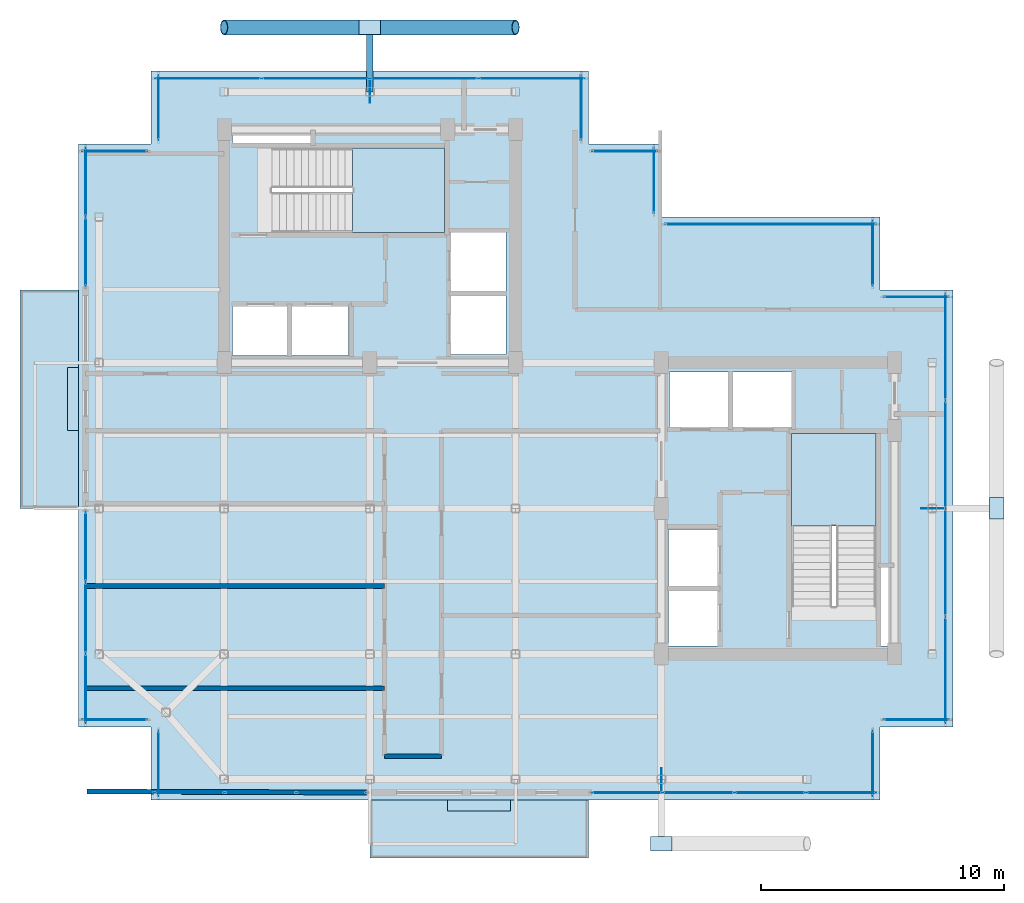
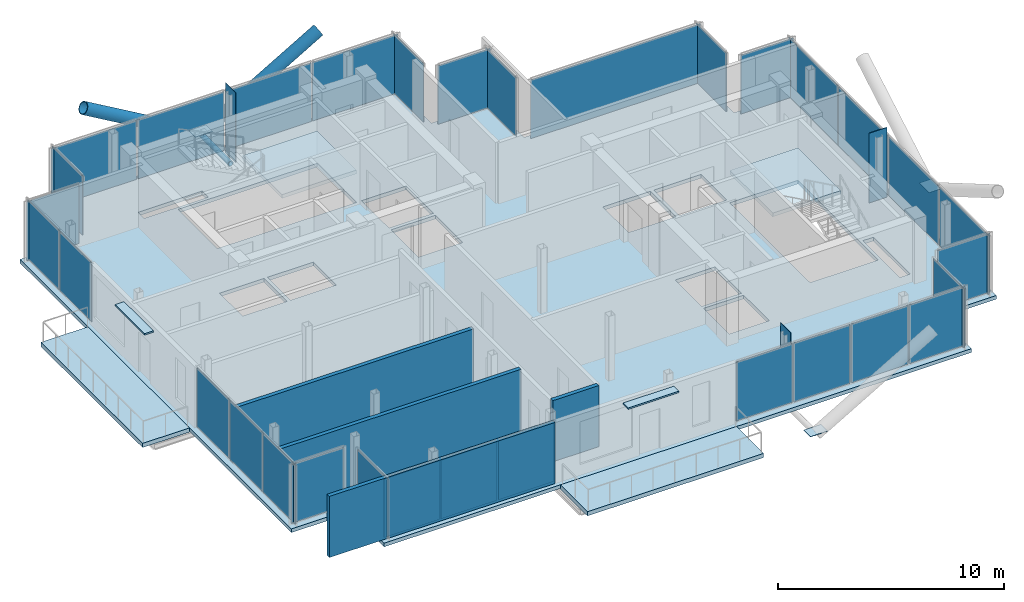
# One storey, part 13 of 18: 40 plates, 5 slabs, 4 walls, 3 members, 20 elements without a shape of their own.
"""IFC4 building model written with IfcOpenShell, lengths in metres."""

from ifc_helpers import new_model, si_unit, direction, frame, frame_2d, origin, origin_2d, place, context, subcontext, project, spatial, polyline, rectangle, hollow_circle, outline, extrude, material, layer, layer_set, material_profile, profile_set, type_object, element, aggregate, save


model = new_model("IFC4")

# Units and contexts
model_context = context("Model", 3, precision=1e-05, world=origin(), true_north=direction((0.0, 1.0)))
body_context = subcontext(model_context, "Body", "Model", "MODEL_VIEW")
ifc_project = project(units=[si_unit("LENGTHUNIT", "METRE"), si_unit("AREAUNIT", "SQUARE_METRE"), si_unit("VOLUMEUNIT", "CUBIC_METRE"), si_unit("PLANEANGLEUNIT", "RADIAN"), si_unit("MASSUNIT", "GRAM", prefix="KILO"), si_unit("THERMODYNAMICTEMPERATUREUNIT", "KELVIN"), si_unit("POWERUNIT", "WATT")], contexts=[model_context])

# Site, building, storey
site_placement = place(None, origin())
site = spatial("IfcSite", under=ifc_project, at=site_placement, CompositionType="ELEMENT")
building_placement = place(site_placement, origin())
building = spatial("IfcBuilding", under=site, at=building_placement, Name="Svarakhadi Broadcast Tower", CompositionType="ELEMENT")
storey_placement = place(building_placement, frame((0.0, 0.0, 281.699951171875)))
storey = spatial("IfcBuildingStorey", under=building, at=storey_placement, Name="L71", CompositionType="ELEMENT", Elevation=281.699951171875)

# Members
ifc_material_1 = material(Name="Steel S460ML (IS 2062 E450BR)", Category="steel")
ifc_material_profile_1 = material_profile(ifc_material_1, hollow_circle(Radius=0.304931640625, WallThickness=0.030029296875, at=origin_2d()), Name="CHS 610x30")
ifc_profile_set_1 = profile_set([ifc_material_profile_1], Name="Steel S460ML (IS 2062 E450BR)")
member_type_1 = type_object("IfcMemberType", Name="Exo_Brace_CHS610", PredefinedType="BRACE", material=ifc_profile_set_1)
for number, where, z_axis, x_axis, name in (
    (1, (12.0, 31.800048828125, -0.33642578125), (-0.863778900898, 0.0, 0.503871025524), (0.0, -1.0, 0.0), "L71 Exposed Bronze Exoskeleton Diagonal N04"),
    (2, (12.0, 31.800048828125, -0.33642578125), (0.863778900898, 0.0, 0.503871025524), (0.0, 1.0, 0.0), "L71 Exposed Bronze Exoskeleton Diagonal N05"),
):
    element("IfcMember", number, at=place(storey_placement, frame(where, z_axis=z_axis, x_axis=x_axis)), inside=storey, type_object=member_type_1, Name=name, PredefinedType="BRACE", context=body_context, shape_type="SweptSolid", body=[
        extrude(hollow_circle(Radius=0.304931640625, WallThickness=0.030029296875, at=origin_2d()), origin(), (0.0, 0.0, 1.0), 6.9462890625),
    ])
ifc_material_profile_2 = material_profile(ifc_material_1, hollow_circle(Radius=0.136474609375, WallThickness=0.012451171875, at=origin_2d()), Name="CHS 273x12.5")
ifc_profile_set_2 = profile_set([ifc_material_profile_2], Name="Steel S460ML (IS 2062 E450BR)")
member_type_2 = type_object("IfcMemberType", Name="Exo_Radial_Strut_Z3", PredefinedType="STRUT", material=ifc_profile_set_2)
member_placement = place(storey_placement, frame((12.0, 31.800048828125, -0.33642578125), z_axis=(0.0, -1.0, 0.0), x_axis=(1.0, 0.0, 0.0)))
element("IfcMember", 3, at=member_placement, inside=storey, type_object=member_type_2, Name="L71 Exoskeleton Radial Tie Strut N03", PredefinedType="STRUT", context=body_context, shape_type="SweptSolid", body=[
    extrude(hollow_circle(Radius=0.136474609375, WallThickness=0.012451171875, at=origin_2d()), origin(), (0.0, 0.0, 1.0), 2.650146484375),
])

# Curtain wall, plate
ifc_material_2 = material(Name="Anodised Bronze Aluminium AA 6063-T6", Category="aluminium")
ifc_layer_1 = layer(ifc_material_2, 0.179931640625)
ifc_layer_set_1 = layer_set([ifc_layer_1], Name="Anodised Bronze Aluminium AA 6063-T6")
curtain_wall_type = type_object("IfcCurtainWallType", Name="CW_Sys_05", PredefinedType="NOTDEFINED", material=ifc_layer_set_1)
curtain_wall_1_placement = place(storey_placement, origin())
curtain_wall_1 = element("IfcCurtainWall", 4, at=curtain_wall_1_placement, inside=storey, type_object=curtain_wall_type, Name="L71 Unitised Facade Curtain Wall 01", PredefinedType="NOTDEFINED")
ifc_material_3 = material(Name="Double Low-E Laminated Acoustic Glass IGU 36 mm", Category="glass")
ifc_layer_2 = layer(ifc_material_3, 0.033935546875)
ifc_layer_set_2 = layer_set([ifc_layer_2], Name="Double Low-E Laminated Acoustic Glass IGU 36 mm")
plate_type_1 = type_object("IfcPlateType", Name="CW_Sys_05_Pnl", PredefinedType="CURTAIN_PANEL", material=ifc_layer_set_2)
plate_1_placement = place(storey_placement, frame((1.5, 3.300048828125, 0.065185546875), z_axis=(0.0, 0.0, 1.0), x_axis=(-1.0, 0.0, 0.0)))
plate_1 = element("IfcPlate", 5, at=plate_1_placement, type_object=plate_type_1, Name="CW-05 panel 1.1", PredefinedType="CURTAIN_PANEL", context=body_context, shape_type="SweptSolid", body=[
    extrude(rectangle(XDim=2.679931640625, YDim=0.033935546875, at=origin_2d()), origin(), (0.0, 0.0, 1.0), 3.169921875),
])
aggregate(curtain_wall_1, [plate_1])

# Curtain wall, plates
curtain_wall_2_placement = place(storey_placement, origin())
curtain_wall_2 = element("IfcCurtainWall", 6, at=curtain_wall_2_placement, inside=storey, type_object=curtain_wall_type, Name="L71 West Curtain Wall 02", PredefinedType="NOTDEFINED")
plate_2_placement = place(storey_placement, frame((0.300048828125, 4.577392578125, 0.065185546875), z_axis=(0.0, 0.0, 1.0), x_axis=(0.0, 1.0, 0.0)))
plate_2 = element("IfcPlate", 7, at=plate_2_placement, type_object=plate_type_1, Name="CW-05 panel 1.1", PredefinedType="CURTAIN_PANEL", context=body_context, shape_type="SweptSolid", body=[
    extrude(rectangle(XDim=2.8349609375, YDim=0.033935546875, at=origin_2d()), origin(), (0.0, 0.0, 1.0), 3.169921875),
])
plate_3_placement = place(storey_placement, frame((0.300048828125, 7.5, 0.065185546875), z_axis=(0.0, 0.0, 1.0), x_axis=(0.0, 1.0, 0.0)))
plate_3 = element("IfcPlate", 8, at=plate_3_placement, type_object=plate_type_1, Name="CW-05 panel 2.1", PredefinedType="CURTAIN_PANEL", context=body_context, shape_type="SweptSolid", body=[
    extrude(rectangle(XDim=2.8701171875, YDim=0.033935546875, at=origin_2d()), origin(), (0.0, 0.0, 1.0), 3.169921875),
])
plate_4_placement = place(storey_placement, frame((0.300048828125, 10.422607421875, 0.065185546875), z_axis=(0.0, 0.0, 1.0), x_axis=(0.0, 1.0, 0.0)))
plate_4 = element("IfcPlate", 9, at=plate_4_placement, type_object=plate_type_1, Name="CW-05 panel 3.1", PredefinedType="CURTAIN_PANEL", context=body_context, shape_type="SweptSolid", body=[
    extrude(rectangle(XDim=2.8349609375, YDim=0.033935546875, at=origin_2d()), origin(), (0.0, 0.0, 1.0), 3.169921875),
])
aggregate(curtain_wall_2, [plate_2, plate_3, plate_4])

curtain_wall_3_placement = place(storey_placement, origin())
curtain_wall_3 = element("IfcCurtainWall", 10, at=curtain_wall_3_placement, inside=storey, type_object=curtain_wall_type, Name="L71 West Curtain Wall 03", PredefinedType="NOTDEFINED")
plate_5_placement = place(storey_placement, frame((0.300048828125, 22.5625, 0.065185546875), z_axis=(0.0, 0.0, 1.0), x_axis=(0.0, 1.0, 0.0)))
plate_5 = element("IfcPlate", 11, at=plate_5_placement, type_object=plate_type_1, Name="CW-05 panel 1.1", PredefinedType="CURTAIN_PANEL", context=body_context, shape_type="SweptSolid", body=[
    extrude(rectangle(XDim=2.804931640625, YDim=0.033935546875, at=origin_2d()), origin(), (0.0, 0.0, 1.0), 3.169921875),
])
plate_6_placement = place(storey_placement, frame((0.300048828125, 25.4375, 0.065185546875), z_axis=(0.0, 0.0, 1.0), x_axis=(0.0, 1.0, 0.0)))
plate_6 = element("IfcPlate", 12, at=plate_6_placement, type_object=plate_type_1, Name="CW-05 panel 2.1", PredefinedType="CURTAIN_PANEL", context=body_context, shape_type="SweptSolid", body=[
    extrude(rectangle(XDim=2.804931640625, YDim=0.033935546875, at=origin_2d()), origin(), (0.0, 0.0, 1.0), 3.169921875),
])
aggregate(curtain_wall_3, [plate_5, plate_6])

# Curtain wall, plate
curtain_wall_4_placement = place(storey_placement, origin())
curtain_wall_4 = element("IfcCurtainWall", 13, at=curtain_wall_4_placement, inside=storey, type_object=curtain_wall_type, Name="L71 Unitised Facade Curtain Wall 04", PredefinedType="NOTDEFINED")
plate_7_placement = place(storey_placement, frame((1.5, 26.699951171875, 0.065185546875), z_axis=(0.0, 0.0, 1.0), x_axis=(1.0, 0.0, 0.0)))
plate_7 = element("IfcPlate", 14, at=plate_7_placement, type_object=plate_type_1, Name="CW-05 panel 1.1", PredefinedType="CURTAIN_PANEL", context=body_context, shape_type="SweptSolid", body=[
    extrude(rectangle(XDim=2.679931640625, YDim=0.033935546875, at=origin_2d()), origin(), (0.0, 0.0, 1.0), 3.169921875),
])
aggregate(curtain_wall_4, [plate_7])

curtain_wall_5_placement = place(storey_placement, origin())
curtain_wall_5 = element("IfcCurtainWall", 15, at=curtain_wall_5_placement, inside=storey, type_object=curtain_wall_type, Name="L71 Unitised Facade Curtain Wall 05", PredefinedType="NOTDEFINED")
plate_8_placement = place(storey_placement, frame((3.300048828125, 28.5, 0.065185546875), z_axis=(0.0, 0.0, 1.0), x_axis=(0.0, 1.0, 0.0)))
plate_8 = element("IfcPlate", 16, at=plate_8_placement, type_object=plate_type_1, Name="CW-05 panel 1.1", PredefinedType="CURTAIN_PANEL", context=body_context, shape_type="SweptSolid", body=[
    extrude(rectangle(XDim=2.679931640625, YDim=0.033935546875, at=origin_2d()), origin(), (0.0, 0.0, 1.0), 3.169921875),
])
aggregate(curtain_wall_5, [plate_8])

# Curtain wall, plates
curtain_wall_6_placement = place(storey_placement, origin())
curtain_wall_6 = element("IfcCurtainWall", 17, at=curtain_wall_6_placement, inside=storey, type_object=curtain_wall_type, Name="L71 Unitised Facade Curtain Wall 06", PredefinedType="NOTDEFINED")
plate_9_placement = place(storey_placement, frame((5.3349609375, 29.699951171875, 0.065185546875), z_axis=(0.0, 0.0, 1.0), x_axis=(1.0, 0.0, 0.0)))
plate_9 = element("IfcPlate", 18, at=plate_9_placement, type_object=plate_type_1, Name="CW-05 panel 1.1", PredefinedType="CURTAIN_PANEL", context=body_context, shape_type="SweptSolid", body=[
    extrude(rectangle(XDim=4.35009765625, YDim=0.033935546875, at=origin_2d()), origin(), (0.0, 0.0, 1.0), 3.169921875),
])
plate_10_placement = place(storey_placement, frame((9.7724609375, 29.699951171875, 0.065185546875), z_axis=(0.0, 0.0, 1.0), x_axis=(1.0, 0.0, 0.0)))
plate_10 = element("IfcPlate", 19, at=plate_10_placement, type_object=plate_type_1, Name="CW-05 panel 2.1", PredefinedType="CURTAIN_PANEL", context=body_context, shape_type="SweptSolid", body=[
    extrude(rectangle(XDim=4.385009765625, YDim=0.033935546875, at=origin_2d()), origin(), (0.0, 0.0, 1.0), 3.169921875),
])
plate_11_placement = place(storey_placement, frame((14.2275390625, 29.699951171875, 0.065185546875), z_axis=(0.0, 0.0, 1.0), x_axis=(1.0, 0.0, 0.0)))
plate_11 = element("IfcPlate", 20, at=plate_11_placement, type_object=plate_type_1, Name="CW-05 panel 3.1", PredefinedType="CURTAIN_PANEL", context=body_context, shape_type="SweptSolid", body=[
    extrude(rectangle(XDim=4.385009765625, YDim=0.033935546875, at=origin_2d()), origin(), (0.0, 0.0, 1.0), 3.169921875),
])
plate_12_placement = place(storey_placement, frame((18.6650390625, 29.699951171875, 0.065185546875), z_axis=(0.0, 0.0, 1.0), x_axis=(1.0, 0.0, 0.0)))
plate_12 = element("IfcPlate", 21, at=plate_12_placement, type_object=plate_type_1, Name="CW-05 panel 4.1", PredefinedType="CURTAIN_PANEL", context=body_context, shape_type="SweptSolid", body=[
    extrude(rectangle(XDim=4.35009765625, YDim=0.033935546875, at=origin_2d()), origin(), (0.0, 0.0, 1.0), 3.169921875),
])
aggregate(curtain_wall_6, [plate_9, plate_10, plate_11, plate_12])

# Curtain wall, plate
curtain_wall_7_placement = place(storey_placement, origin())
curtain_wall_7 = element("IfcCurtainWall", 22, at=curtain_wall_7_placement, inside=storey, type_object=curtain_wall_type, Name="L71 Unitised Facade Curtain Wall 07", PredefinedType="NOTDEFINED")
plate_13_placement = place(storey_placement, frame((20.699951171875, 28.5, 0.065185546875), z_axis=(0.0, 0.0, 1.0), x_axis=(0.0, -1.0, 0.0)))
plate_13 = element("IfcPlate", 23, at=plate_13_placement, type_object=plate_type_1, Name="CW-05 panel 1.1", PredefinedType="CURTAIN_PANEL", context=body_context, shape_type="SweptSolid", body=[
    extrude(rectangle(XDim=2.679931640625, YDim=0.033935546875, at=origin_2d()), origin(), (0.0, 0.0, 1.0), 3.169921875),
])
aggregate(curtain_wall_7, [plate_13])

curtain_wall_8_placement = place(storey_placement, origin())
curtain_wall_8 = element("IfcCurtainWall", 24, at=curtain_wall_8_placement, inside=storey, type_object=curtain_wall_type, Name="L71 Unitised Facade Curtain Wall 08", PredefinedType="NOTDEFINED")
plate_14_placement = place(storey_placement, frame((22.5, 26.699951171875, 0.065185546875), z_axis=(0.0, 0.0, 1.0), x_axis=(1.0, 0.0, 0.0)))
plate_14 = element("IfcPlate", 25, at=plate_14_placement, type_object=plate_type_1, Name="CW-05 panel 1.1", PredefinedType="CURTAIN_PANEL", context=body_context, shape_type="SweptSolid", body=[
    extrude(rectangle(XDim=2.679931640625, YDim=0.033935546875, at=origin_2d()), origin(), (0.0, 0.0, 1.0), 3.169921875),
])
aggregate(curtain_wall_8, [plate_14])

curtain_wall_9_placement = place(storey_placement, origin())
curtain_wall_9 = element("IfcCurtainWall", 26, at=curtain_wall_9_placement, inside=storey, type_object=curtain_wall_type, Name="L71 Unitised Facade Curtain Wall 09", PredefinedType="NOTDEFINED")
plate_15_placement = place(storey_placement, frame((23.699951171875, 25.5, 0.065185546875), z_axis=(0.0, 0.0, 1.0), x_axis=(0.0, -1.0, 0.0)))
plate_15 = element("IfcPlate", 27, at=plate_15_placement, type_object=plate_type_1, Name="CW-05 panel 1.1", PredefinedType="CURTAIN_PANEL", context=body_context, shape_type="SweptSolid", body=[
    extrude(rectangle(XDim=2.679931640625, YDim=0.033935546875, at=origin_2d()), origin(), (0.0, 0.0, 1.0), 3.169921875),
])
aggregate(curtain_wall_9, [plate_15])

curtain_wall_10_placement = place(storey_placement, origin())
curtain_wall_10 = element("IfcCurtainWall", 28, at=curtain_wall_10_placement, inside=storey, type_object=curtain_wall_type, Name="L71 Unitised Facade Curtain Wall 10", PredefinedType="NOTDEFINED")
plate_16_placement = place(storey_placement, frame((28.5, 23.699951171875, 0.065185546875), z_axis=(0.0, 0.0, 1.0), x_axis=(1.0, 0.0, 0.0)))
plate_16 = element("IfcPlate", 29, at=plate_16_placement, type_object=plate_type_1, Name="CW-05 panel 1.1", PredefinedType="CURTAIN_PANEL", context=body_context, shape_type="SweptSolid", body=[
    extrude(rectangle(XDim=8.679931640625, YDim=0.033935546875, at=origin_2d()), origin(), (0.0, 0.0, 1.0), 3.169921875),
])
aggregate(curtain_wall_10, [plate_16])

curtain_wall_11_placement = place(storey_placement, origin())
curtain_wall_11 = element("IfcCurtainWall", 30, at=curtain_wall_11_placement, inside=storey, type_object=curtain_wall_type, Name="L71 Unitised Facade Curtain Wall 11", PredefinedType="NOTDEFINED")
plate_17_placement = place(storey_placement, frame((32.699951171875, 22.5, 0.065185546875), z_axis=(0.0, 0.0, 1.0), x_axis=(0.0, -1.0, 0.0)))
plate_17 = element("IfcPlate", 31, at=plate_17_placement, type_object=plate_type_1, Name="CW-05 panel 1.1", PredefinedType="CURTAIN_PANEL", context=body_context, shape_type="SweptSolid", body=[
    extrude(rectangle(XDim=2.679931640625, YDim=0.033935546875, at=origin_2d()), origin(), (0.0, 0.0, 1.0), 3.169921875),
])
aggregate(curtain_wall_11, [plate_17])

curtain_wall_12_placement = place(storey_placement, origin())
curtain_wall_12 = element("IfcCurtainWall", 32, at=curtain_wall_12_placement, inside=storey, type_object=curtain_wall_type, Name="L71 Unitised Facade Curtain Wall 12", PredefinedType="NOTDEFINED")
plate_18_placement = place(storey_placement, frame((34.5, 20.699951171875, 0.065185546875), z_axis=(0.0, 0.0, 1.0), x_axis=(1.0, 0.0, 0.0)))
plate_18 = element("IfcPlate", 33, at=plate_18_placement, type_object=plate_type_1, Name="CW-05 panel 1.1", PredefinedType="CURTAIN_PANEL", context=body_context, shape_type="SweptSolid", body=[
    extrude(rectangle(XDim=2.679931640625, YDim=0.033935546875, at=origin_2d()), origin(), (0.0, 0.0, 1.0), 3.169921875),
])
aggregate(curtain_wall_12, [plate_18])

# Curtain wall, plates
curtain_wall_13_placement = place(storey_placement, origin())
curtain_wall_13 = element("IfcCurtainWall", 34, at=curtain_wall_13_placement, inside=storey, type_object=curtain_wall_type, Name="L71 Unitised Facade Curtain Wall 13", PredefinedType="NOTDEFINED")
plate_19_placement = place(storey_placement, frame((35.699951171875, 18.6650390625, 0.065185546875), z_axis=(0.0, 0.0, 1.0), x_axis=(0.0, -1.0, 0.0)))
plate_19 = element("IfcPlate", 35, at=plate_19_placement, type_object=plate_type_1, Name="CW-05 panel 1.1", PredefinedType="CURTAIN_PANEL", context=body_context, shape_type="SweptSolid", body=[
    extrude(rectangle(XDim=4.35009765625, YDim=0.033935546875, at=origin_2d()), origin(), (0.0, 0.0, 1.0), 3.169921875),
])
plate_20_placement = place(storey_placement, frame((35.699951171875, 14.2275390625, 0.065185546875), z_axis=(0.0, 0.0, 1.0), x_axis=(0.0, -1.0, 0.0)))
plate_20 = element("IfcPlate", 36, at=plate_20_placement, type_object=plate_type_1, Name="CW-05 panel 2.1", PredefinedType="CURTAIN_PANEL", context=body_context, shape_type="SweptSolid", body=[
    extrude(rectangle(XDim=4.385009765625, YDim=0.033935546875, at=origin_2d()), origin(), (0.0, 0.0, 1.0), 3.169921875),
])
plate_21_placement = place(storey_placement, frame((35.699951171875, 9.7724609375, 0.065185546875), z_axis=(0.0, 0.0, 1.0), x_axis=(0.0, -1.0, 0.0)))
plate_21 = element("IfcPlate", 37, at=plate_21_placement, type_object=plate_type_1, Name="CW-05 panel 3.1", PredefinedType="CURTAIN_PANEL", context=body_context, shape_type="SweptSolid", body=[
    extrude(rectangle(XDim=4.385009765625, YDim=0.033935546875, at=origin_2d()), origin(), (0.0, 0.0, 1.0), 3.169921875),
])
plate_22_placement = place(storey_placement, frame((35.699951171875, 5.3349609375, 0.065185546875), z_axis=(0.0, 0.0, 1.0), x_axis=(0.0, -1.0, 0.0)))
plate_22 = element("IfcPlate", 38, at=plate_22_placement, type_object=plate_type_1, Name="CW-05 panel 4.1", PredefinedType="CURTAIN_PANEL", context=body_context, shape_type="SweptSolid", body=[
    extrude(rectangle(XDim=4.35009765625, YDim=0.033935546875, at=origin_2d()), origin(), (0.0, 0.0, 1.0), 3.169921875),
])
aggregate(curtain_wall_13, [plate_19, plate_20, plate_21, plate_22])

# Curtain wall, plate
curtain_wall_14_placement = place(storey_placement, origin())
curtain_wall_14 = element("IfcCurtainWall", 39, at=curtain_wall_14_placement, inside=storey, type_object=curtain_wall_type, Name="L71 Unitised Facade Curtain Wall 14", PredefinedType="NOTDEFINED")
plate_23_placement = place(storey_placement, frame((34.5, 3.300048828125, 0.065185546875), z_axis=(0.0, 0.0, 1.0), x_axis=(-1.0, 0.0, 0.0)))
plate_23 = element("IfcPlate", 40, at=plate_23_placement, type_object=plate_type_1, Name="CW-05 panel 1.1", PredefinedType="CURTAIN_PANEL", context=body_context, shape_type="SweptSolid", body=[
    extrude(rectangle(XDim=2.679931640625, YDim=0.033935546875, at=origin_2d()), origin(), (0.0, 0.0, 1.0), 3.169921875),
])
aggregate(curtain_wall_14, [plate_23])

curtain_wall_15_placement = place(storey_placement, origin())
curtain_wall_15 = element("IfcCurtainWall", 41, at=curtain_wall_15_placement, inside=storey, type_object=curtain_wall_type, Name="L71 Unitised Facade Curtain Wall 15", PredefinedType="NOTDEFINED")
plate_24_placement = place(storey_placement, frame((32.699951171875, 1.5, 0.065185546875), z_axis=(0.0, 0.0, 1.0), x_axis=(0.0, -1.0, 0.0)))
plate_24 = element("IfcPlate", 42, at=plate_24_placement, type_object=plate_type_1, Name="CW-05 panel 1.1", PredefinedType="CURTAIN_PANEL", context=body_context, shape_type="SweptSolid", body=[
    extrude(rectangle(XDim=2.679931640625, YDim=0.033935546875, at=origin_2d()), origin(), (0.0, 0.0, 1.0), 3.169921875),
])
aggregate(curtain_wall_15, [plate_24])

# Curtain wall, plates
curtain_wall_16_placement = place(storey_placement, origin())
curtain_wall_16 = element("IfcCurtainWall", 43, at=curtain_wall_16_placement, inside=storey, type_object=curtain_wall_type, Name="L71 South Curtain Wall 16", PredefinedType="NOTDEFINED")
plate_25_placement = place(storey_placement, frame((31.4150390625, 0.300048828125, 0.065185546875), z_axis=(0.0, 0.0, 1.0), x_axis=(-1.0, 0.0, 0.0)))
plate_25 = element("IfcPlate", 44, at=plate_25_placement, type_object=plate_type_1, Name="CW-05 panel 1.1", PredefinedType="CURTAIN_PANEL", context=body_context, shape_type="SweptSolid", body=[
    extrude(rectangle(XDim=2.85009765625, YDim=0.033935546875, at=origin_2d()), origin(), (0.0, 0.0, 1.0), 3.169921875),
])
plate_26_placement = place(storey_placement, frame((28.4775390625, 0.300048828125, 0.065185546875), z_axis=(0.0, 0.0, 1.0), x_axis=(-1.0, 0.0, 0.0)))
plate_26 = element("IfcPlate", 45, at=plate_26_placement, type_object=plate_type_1, Name="CW-05 panel 2.1", PredefinedType="CURTAIN_PANEL", context=body_context, shape_type="SweptSolid", body=[
    extrude(rectangle(XDim=2.885009765625, YDim=0.033935546875, at=origin_2d()), origin(), (0.0, 0.0, 1.0), 3.169921875),
])
plate_27_placement = place(storey_placement, frame((25.5224609375, 0.300048828125, 0.065185546875), z_axis=(0.0, 0.0, 1.0), x_axis=(-1.0, 0.0, 0.0)))
plate_27 = element("IfcPlate", 46, at=plate_27_placement, type_object=plate_type_1, Name="CW-05 panel 3.1", PredefinedType="CURTAIN_PANEL", context=body_context, shape_type="SweptSolid", body=[
    extrude(rectangle(XDim=2.885009765625, YDim=0.033935546875, at=origin_2d()), origin(), (0.0, 0.0, 1.0), 3.169921875),
])
plate_28_placement = place(storey_placement, frame((22.5849609375, 0.300048828125, 0.065185546875), z_axis=(0.0, 0.0, 1.0), x_axis=(-1.0, 0.0, 0.0)))
plate_28 = element("IfcPlate", 47, at=plate_28_placement, type_object=plate_type_1, Name="CW-05 panel 4.1", PredefinedType="CURTAIN_PANEL", context=body_context, shape_type="SweptSolid", body=[
    extrude(rectangle(XDim=2.85009765625, YDim=0.033935546875, at=origin_2d()), origin(), (0.0, 0.0, 1.0), 3.169921875),
])
aggregate(curtain_wall_16, [plate_25, plate_26, plate_27, plate_28])

curtain_wall_17_placement = place(storey_placement, origin())
curtain_wall_17 = element("IfcCurtainWall", 48, at=curtain_wall_17_placement, inside=storey, type_object=curtain_wall_type, Name="L71 South Curtain Wall 17", PredefinedType="NOTDEFINED")
plate_29_placement = place(storey_placement, frame((10.422607421875, 0.300048828125, 0.065185546875), z_axis=(0.0, 0.0, 1.0), x_axis=(-1.0, 0.0, 0.0)))
plate_29 = element("IfcPlate", 49, at=plate_29_placement, type_object=plate_type_1, Name="CW-05 panel 1.1", PredefinedType="CURTAIN_PANEL", context=body_context, shape_type="SweptSolid", body=[
    extrude(rectangle(XDim=2.8349609375, YDim=0.033935546875, at=origin_2d()), origin(), (0.0, 0.0, 1.0), 3.169921875),
])
plate_30_placement = place(storey_placement, frame((7.5, 0.300048828125, 0.065185546875), z_axis=(0.0, 0.0, 1.0), x_axis=(-1.0, 0.0, 0.0)))
plate_30 = element("IfcPlate", 50, at=plate_30_placement, type_object=plate_type_1, Name="CW-05 panel 2.1", PredefinedType="CURTAIN_PANEL", context=body_context, shape_type="SweptSolid", body=[
    extrude(rectangle(XDim=2.8701171875, YDim=0.033935546875, at=origin_2d()), origin(), (0.0, 0.0, 1.0), 3.169921875),
])
plate_31_placement = place(storey_placement, frame((4.577392578125, 0.300048828125, 0.065185546875), z_axis=(0.0, 0.0, 1.0), x_axis=(-1.0, 0.0, 0.0)))
plate_31 = element("IfcPlate", 51, at=plate_31_placement, type_object=plate_type_1, Name="CW-05 panel 3.1", PredefinedType="CURTAIN_PANEL", context=body_context, shape_type="SweptSolid", body=[
    extrude(rectangle(XDim=2.8349609375, YDim=0.033935546875, at=origin_2d()), origin(), (0.0, 0.0, 1.0), 3.169921875),
])
aggregate(curtain_wall_17, [plate_29, plate_30, plate_31])

# Curtain wall, plate
curtain_wall_18_placement = place(storey_placement, origin())
curtain_wall_18 = element("IfcCurtainWall", 52, at=curtain_wall_18_placement, inside=storey, type_object=curtain_wall_type, Name="L71 Unitised Facade Curtain Wall 18", PredefinedType="NOTDEFINED")
plate_32_placement = place(storey_placement, frame((3.300048828125, 1.5, 0.065185546875), z_axis=(0.0, 0.0, 1.0), x_axis=(0.0, 1.0, 0.0)))
plate_32 = element("IfcPlate", 53, at=plate_32_placement, type_object=plate_type_1, Name="CW-05 panel 1.1", PredefinedType="CURTAIN_PANEL", context=body_context, shape_type="SweptSolid", body=[
    extrude(rectangle(XDim=2.679931640625, YDim=0.033935546875, at=origin_2d()), origin(), (0.0, 0.0, 1.0), 3.169921875),
])
aggregate(curtain_wall_18, [plate_32])

# Plates
ifc_layer_3 = layer(ifc_material_1, 0.02490234375)
ifc_layer_set_3 = layer_set([ifc_layer_3], Name="Steel S460ML (IS 2062 E450BR)")
plate_type_2 = type_object("IfcPlateType", Name="Node_Gusset_N05", PredefinedType="SHEET", material=ifc_layer_set_3)
for number, where, z_axis, x_axis, name in (
    (54, (24.0, -1.800048828125, -0.199951171875), (0.0, 0.0, 1.0), (1.0, 0.0, 0.0), "L71 Exoskeleton Gusset Node Plate S01"),
    (55, (37.800048828125, 12.0, -0.199951171875), (0.0, 0.0, 1.0), (0.0, 1.0, 0.0), "L71 Exoskeleton Gusset Node Plate E02"),
    (56, (12.0, 31.800048828125, -0.199951171875), (0.0, 0.0, 1.0), (1.0, 0.0, 0.0), "L71 Exoskeleton Gusset Node Plate N03"),
):
    element("IfcPlate", number, at=place(storey_placement, frame(where, z_axis=z_axis, x_axis=x_axis)), inside=storey, type_object=plate_type_2, Name=name, PredefinedType="SHEET", context=body_context, shape_type="SweptSolid", body=[
        extrude(rectangle(XDim=0.8798828125, YDim=0.60009765625, at=origin_2d()), origin(), (0.0, 0.0, 1.0), 0.02490234375),
    ])
ifc_layer_4 = layer(ifc_material_1, 0.02587890625)
ifc_layer_set_4 = layer_set([ifc_layer_4], Name="Steel S460ML (IS 2062 E450BR)")
plate_type_3 = type_object("IfcPlateType", Name="Node_Gusset_N07", PredefinedType="SHEET", material=ifc_layer_set_4)
for number, where, z_axis, x_axis, name in (
    (57, (24.0, 0.85009765625, -0.53662109375), (0.0, 0.0, 1.0), (0.0, 1.0, 0.0), "L71 Brace End Connection Gusset Plate N-07-E0555"),
    (58, (35.14990234375, 12.0, -0.53662109375), (0.0, 0.0, 1.0), (1.0, 0.0, 0.0), "L71 Brace End Connection Gusset Plate N-07-E0556"),
    (59, (12.0, 29.14990234375, -0.53662109375), (0.0, 0.0, 1.0), (0.0, 1.0, 0.0), "L71 Brace End Connection Gusset Plate N-07-E0557"),
):
    element("IfcPlate", number, at=place(storey_placement, frame(where, z_axis=z_axis, x_axis=x_axis)), inside=storey, type_object=plate_type_3, Name=name, PredefinedType="SHEET", context=body_context, shape_type="SweptSolid", body=[
        extrude(rectangle(XDim=0.919921875, YDim=0.02587890625, at=origin_2d()), origin(), (0.0, 0.0, 1.0), 4.300048828125),
    ])

# Slab
ifc_material_4 = material(Name="Concrete C40/50 (IS 456 M50)", Category="concrete")
ifc_layer_5 = layer(ifc_material_4, 0.199951171875)
ifc_layer_set_5 = layer_set([ifc_layer_5], Name="Concrete C40/50 (IS 456 M50)")
slab_type_1 = type_object("IfcSlabType", Name="Slab_Floor_200", PredefinedType="FLOOR", material=ifc_layer_set_5)
slab_1_placement = place(storey_placement, frame((0.0, 0.0, -0.199951171875)))
element("IfcSlab", 60, at=slab_1_placement, inside=storey, type_object=slab_type_1, Name="L71 Structural Floor Slab", PredefinedType="FLOOR", context=body_context, shape_type="SweptSolid", body=[
    extrude(outline(polyline([(3.0, 0.0), (33.0, 0.0), (33.0, 3.0), (36.0, 3.0), (36.0, 21.0), (33.0, 21.0), (33.0, 24.0), (24.0, 24.0), (24.0, 27.0), (21.0, 27.0), (21.0, 30.0), (3.0, 30.0), (3.0, 27.0), (0.0, 27.0), (0.0, 3.0), (3.0, 3.0), (3.0, 0.0)]), holes=[polyline([(7.97998046875, 23.360107421875), (15.080078125, 23.360107421875), (15.080078125, 26.840087890625), (7.97998046875, 26.840087890625), (7.97998046875, 23.360107421875)]), polyline([(32.840087890625, 7.97998046875), (32.840087890625, 15.080078125), (29.360107421875, 15.080078125), (29.360107421875, 7.97998046875), (32.840087890625, 7.97998046875)]), polyline([(6.340087890625, 18.2900390625), (8.610107421875, 18.2900390625), (8.610107421875, 20.330078125), (6.340087890625, 20.330078125), (6.340087890625, 18.2900390625)]), polyline([(8.7900390625, 18.2900390625), (11.1298828125, 18.2900390625), (11.1298828125, 20.330078125), (8.7900390625, 20.330078125), (8.7900390625, 18.2900390625)]), polyline([(24.2900390625, 6.340087890625), (26.330078125, 6.340087890625), (26.330078125, 8.610107421875), (24.2900390625, 8.610107421875), (24.2900390625, 6.340087890625)]), polyline([(24.2900390625, 8.7900390625), (26.330078125, 8.7900390625), (26.330078125, 11.1298828125), (24.2900390625, 11.1298828125), (24.2900390625, 8.7900390625)]), polyline([(6.340087890625, 26.989990234375), (9.610107421875, 26.989990234375), (9.610107421875, 27.530029296875), (6.340087890625, 27.530029296875), (6.340087890625, 26.989990234375)]), polyline([(32.989990234375, 6.340087890625), (33.530029296875, 6.340087890625), (33.530029296875, 9.610107421875), (32.989990234375, 9.610107421875), (32.989990234375, 6.340087890625)]), polyline([(15.340087890625, 18.340087890625), (17.610107421875, 18.340087890625), (17.610107421875, 20.760009765625), (15.340087890625, 20.760009765625), (15.340087890625, 18.340087890625)]), polyline([(15.340087890625, 20.93994140625), (17.610107421875, 20.93994140625), (17.610107421875, 23.360107421875), (15.340087890625, 23.360107421875), (15.340087890625, 20.93994140625)]), polyline([(24.340087890625, 15.340087890625), (26.760009765625, 15.340087890625), (26.760009765625, 17.610107421875), (24.340087890625, 17.610107421875), (24.340087890625, 15.340087890625)]), polyline([(26.93994140625, 15.340087890625), (29.360107421875, 15.340087890625), (29.360107421875, 17.610107421875), (26.93994140625, 17.610107421875), (26.93994140625, 15.340087890625)])]), origin(), (0.0, 0.0, 1.0), 0.199951171875),
])

# Stair, slab
stair_type = type_object("IfcStairType", Name="Stair_Exit_Core", PredefinedType="HALF_TURN_STAIR", material=ifc_material_4)
stair_1_placement = place(storey_placement, origin())
stair_1 = element("IfcStair", 61, at=stair_1_placement, inside=storey, type_object=stair_type, Name="L71 West Core Protected Exit Stair ST-01", PredefinedType="HALF_TURN_STAIR")
ifc_layer_6 = layer(ifc_material_4, 0.199951171875)
ifc_layer_set_6 = layer_set([ifc_layer_6], Name="Concrete C40/50 (IS 456 M50)")
slab_type_2 = type_object("IfcSlabType", Name="Slab_Stair_Land", PredefinedType="LANDING", material=ifc_layer_set_6)
slab_2_placement = place(storey_placement, frame((0.0, 0.0, 1.550048828125)))
slab_2 = element("IfcSlab", 62, at=slab_2_placement, type_object=slab_type_2, Name="ST-01 landing 1", PredefinedType="LANDING", context=body_context, shape_type="SweptSolid", body=[
    extrude(outline(polyline([(11.280029296875, 23.360107421875), (15.080078125, 23.360107421875), (15.080078125, 26.840087890625), (11.280029296875, 26.840087890625), (11.280029296875, 23.360107421875)])), origin(), (0.0, 0.0, 1.0), 0.199951171875),
])
aggregate(stair_1, [slab_2])

stair_2_placement = place(storey_placement, origin())
stair_2 = element("IfcStair", 63, at=stair_2_placement, inside=storey, type_object=stair_type, Name="L71 East Core Protected Exit Stair ST-02", PredefinedType="HALF_TURN_STAIR")
slab_3_placement = place(storey_placement, frame((0.0, 0.0, 1.550048828125)))
slab_3 = element("IfcSlab", 64, at=slab_3_placement, type_object=slab_type_2, Name="ST-02 landing 1", PredefinedType="LANDING", context=body_context, shape_type="SweptSolid", body=[
    extrude(outline(polyline([(32.840087890625, 11.280029296875), (32.840087890625, 15.080078125), (29.360107421875, 15.080078125), (29.360107421875, 11.280029296875), (32.840087890625, 11.280029296875)])), origin(), (0.0, 0.0, 1.0), 0.199951171875),
])
aggregate(stair_2, [slab_3])

# Slabs
ifc_layer_7 = layer(ifc_material_4, 0.22509765625)
ifc_layer_set_7 = layer_set([ifc_layer_7], Name="Concrete C40/50 (IS 456 M50)")
slab_type_3 = type_object("IfcSlabType", Name="Slab_TreeBalcony", PredefinedType="FLOOR", material=ifc_layer_set_7)
slab_4_placement = place(storey_placement, frame((0.0, 0.0, -0.224853515625)))
element("IfcSlab", 65, at=slab_4_placement, inside=storey, type_object=slab_type_3, Name="L71 Planted Tree Balcony Slab BAL-S", PredefinedType="FLOOR", context=body_context, shape_type="SweptSolid", body=[
    extrude(outline(polyline([(12.0, -2.39990234375), (21.0, -2.39990234375), (21.0, 0.0), (12.0, 0.0), (12.0, -2.39990234375)])), origin(), (0.0, 0.0, 1.0), 0.224853515625),
])
slab_5_placement = place(storey_placement, frame((0.0, 0.0, -0.224853515625)))
element("IfcSlab", 66, at=slab_5_placement, inside=storey, type_object=slab_type_3, Name="L71 Planted Tree Balcony Slab BAL-W", PredefinedType="FLOOR", context=body_context, shape_type="SweptSolid", body=[
    extrude(outline(polyline([(-2.39990234375, 12.0), (0.0, 12.0), (0.0, 21.0), (-2.39990234375, 21.0), (-2.39990234375, 12.0)])), origin(), (0.0, 0.0, 1.0), 0.224853515625),
])

# Plates
ifc_layer_8 = layer(ifc_material_2, 0.080078125)
ifc_layer_set_8 = layer_set([ifc_layer_8], Name="Anodised Bronze Aluminium AA 6063-T6")
plate_type_4 = type_object("IfcPlateType", Name="Sunshade_Fin_SS01", PredefinedType="USERDEFINED", material=ifc_layer_set_8)
for number, where, z_axis, x_axis, name in (
    (67, (16.5, -0.22509765625, 3.219970703125), (0.0, 0.0, 1.0), (1.0, 0.0, 0.0), "L71 South Bronze Brise-Soleil Sunshade SS-01"),
    (68, (-0.22509765625, 16.5, 3.219970703125), (0.0, 0.0, 1.0), (0.0, 1.0, 0.0), "L71 West Bronze Brise-Soleil Sunshade SS-01"),
):
    element("IfcPlate", number, at=place(storey_placement, frame(where, z_axis=z_axis, x_axis=x_axis)), inside=storey, type_object=plate_type_4, Name=name, ObjectType="SUNSHADE", PredefinedType="USERDEFINED", context=body_context, shape_type="SweptSolid", body=[
        extrude(rectangle(XDim=2.60009765625, YDim=0.449951171875, at=origin_2d()), origin(), (0.0, 0.0, 1.0), 0.080078125),
    ])

# Walls
ifc_material_5 = material(Name="Double-Stud Acoustic Studio Partition STC-62", Category="gypsum")
ifc_layer_9 = layer(ifc_material_5, 0.199951171875)
ifc_layer_set_9 = layer_set([ifc_layer_9], Name="Double-Stud Acoustic Studio Partition STC-62")
wall_type_1 = type_object("IfcWallType", Name="Wall_Acoust_200", PredefinedType="PARTITIONING", material=ifc_layer_set_9)
wall_1_placement = place(storey_placement, frame((0.35009765625, 0.35009765625, 0.0), z_axis=(0.0, 0.0, 1.0), x_axis=(0.999991613227, -0.004095543276, 0.0)))
element("IfcWall", 69, at=wall_1_placement, inside=storey, type_object=wall_type_1, Name="L71 Summit Sky Bistro Wall", PredefinedType="PARTITIONING", context=body_context, shape_type="SweptSolid", body=[
    extrude(rectangle(XDim=11.5048828125, YDim=0.199951171875, at=frame_2d((5.75244140625, 0.0))), origin(), (0.0, 0.0, 1.0), 3.300048828125),
])
wall_2_placement = place(storey_placement, frame((0.300048828125, 4.60009765625, 0.0), z_axis=(0.0, 0.0, 1.0), x_axis=(1.0, 0.0, 0.0)))
element("IfcWall", 70, at=wall_2_placement, inside=storey, type_object=wall_type_1, Name="L71 Summit Sky Bistro Wall", PredefinedType="PARTITIONING", context=body_context, shape_type="SweptSolid", body=[
    extrude(rectangle(XDim=12.300048828125, YDim=0.199951171875, at=frame_2d((6.14990234375, 0.0))), origin(), (0.0, 0.0, 1.0), 3.300048828125),
])
wall_3_placement = place(storey_placement, frame((0.300048828125, 8.800048828125, 0.0), z_axis=(0.0, 0.0, 1.0), x_axis=(1.0, 0.0, 0.0)))
element("IfcWall", 71, at=wall_3_placement, inside=storey, type_object=wall_type_1, Name="L71 Summit Chef Kitchen Wall", PredefinedType="PARTITIONING", context=body_context, shape_type="SweptSolid", body=[
    extrude(rectangle(XDim=12.300048828125, YDim=0.199951171875, at=frame_2d((6.14990234375, 0.0))), origin(), (0.0, 0.0, 1.0), 2.93212890625),
])
ifc_layer_10 = layer(ifc_material_4, 0.199951171875)
ifc_layer_set_10 = layer_set([ifc_layer_10], Name="Concrete C40/50 (IS 456 M50)")
wall_type_2 = type_object("IfcWallType", Name="Wall_Fire_200", PredefinedType="SOLIDWALL", material=ifc_layer_set_10)
wall_4_placement = place(storey_placement, frame((14.949951171875, 1.800048828125, 0.0), z_axis=(0.0, 0.0, 1.0), x_axis=(-1.0, 0.0, 0.0)))
element("IfcWall", 72, at=wall_4_placement, inside=storey, type_object=wall_type_2, Name="L71 Upper Tower Concourse Wall", PredefinedType="SOLIDWALL", context=body_context, shape_type="SweptSolid", body=[
    extrude(rectangle(XDim=2.349853515625, YDim=0.199951171875, at=frame_2d((1.1748046875, 0.0))), origin(), (0.0, 0.0, 1.0), 3.300048828125),
])

save(model, "model.ifc")
